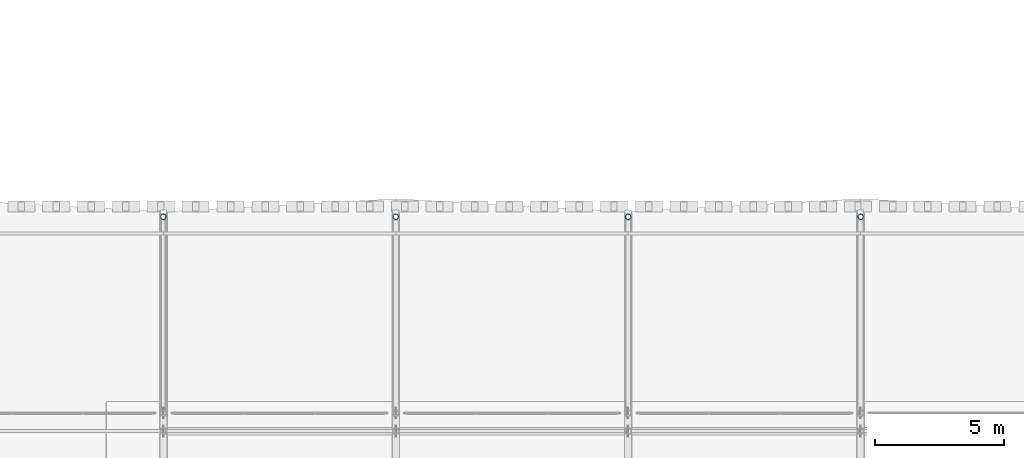
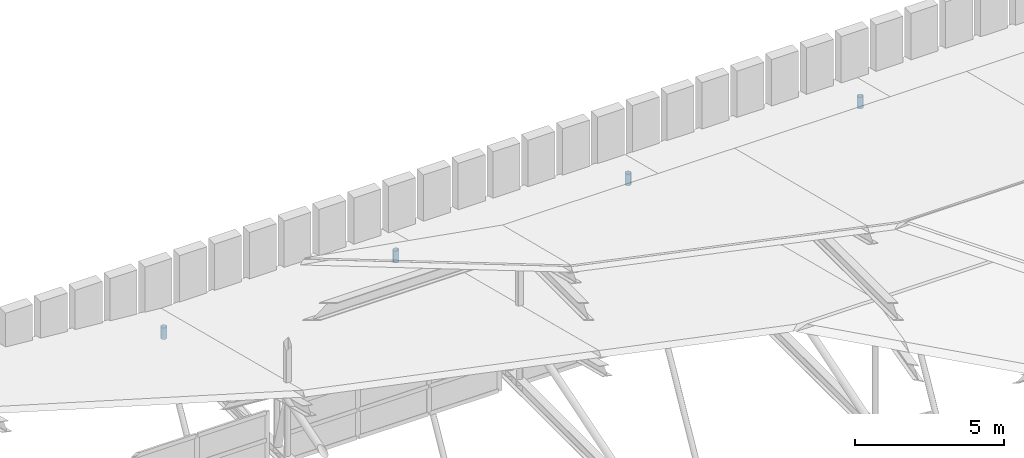
# One storey, part 29 of 42: 4 members.
"""IFC4 building model written with IfcOpenShell, lengths in metres."""

from ifc_helpers import new_model, si_unit, direction, frame, origin, origin_2d, place, context, subcontext, project, spatial, hollow_circle, extrude, material, material_profile, profile_set, type_object, element, save


model = new_model("IFC4")

# Units and contexts
model_context = context("Model", 3, precision=1e-05, world=origin(), true_north=direction((0.0, 1.0)))
body_context = subcontext(model_context, "Body", "Model", "MODEL_VIEW")
ifc_project = project(units=[si_unit("LENGTHUNIT", "METRE"), si_unit("AREAUNIT", "SQUARE_METRE"), si_unit("VOLUMEUNIT", "CUBIC_METRE"), si_unit("PLANEANGLEUNIT", "RADIAN"), si_unit("MASSUNIT", "GRAM", prefix="KILO")], contexts=[model_context])

# Site, building, storey
site_placement = place(None, origin())
site = spatial("IfcSite", under=ifc_project, at=site_placement, CompositionType="ELEMENT")
building_placement = place(site_placement, origin())
building = spatial("IfcBuilding", under=site, at=building_placement, Name="Bozkorgan Art Gallery", CompositionType="ELEMENT")
storey_placement = place(building_placement, frame((0.0, 0.0, 28.800048828125)))
storey = spatial("IfcBuildingStorey", under=building, at=storey_placement, Name="RF", CompositionType="ELEMENT", Elevation=28.800048828125)

# Members
ifc_material = material(Name="Steel S355J2", Category="steel")
ifc_material_profile = material_profile(ifc_material, hollow_circle(Radius=0.109619140625, WallThickness=0.010009765625, at=origin_2d()), Name="CHS 219.1x10")
ifc_profile_set = profile_set([ifc_material_profile], Name="Steel S355J2")
member_type = type_object("IfcMemberType", Name="MEMBER-TP-78", PredefinedType="POST", material=ifc_profile_set)
for number, where, z_axis, x_axis, name in (
    (1, (11.0, 27.60009765625, 0.25), (0.0, 0.0, 1.0), (1.0, 0.0, 0.0), "ROOF-V1-MAIN roof truss 2 post 5"),
    (2, (20.0, 27.60009765625, 0.25), (0.0, 0.0, 1.0), (1.0, 0.0, 0.0), "ROOF-V1-MAIN roof truss 3 post 5"),
    (3, (29.0, 27.60009765625, 0.25), (0.0, 0.0, 1.0), (1.0, 0.0, 0.0), "ROOF-V1-MAIN roof truss 4 post 5"),
    (4, (38.0, 27.60009765625, 0.25), (0.0, 0.0, 1.0), (1.0, 0.0, 0.0), "ROOF-V1-MAIN roof truss 5 post 5"),
):
    element("IfcMember", number, at=place(storey_placement, frame(where, z_axis=z_axis, x_axis=x_axis)), inside=storey, type_object=member_type, Name=name, PredefinedType="POST", context=body_context, shape_type="SweptSolid", body=[
        extrude(hollow_circle(Radius=0.109619140625, WallThickness=0.010009765625, at=origin_2d()), origin(), (0.0, 0.0, 1.0), 0.4765625),
    ])

save(model, "model.ifc")
